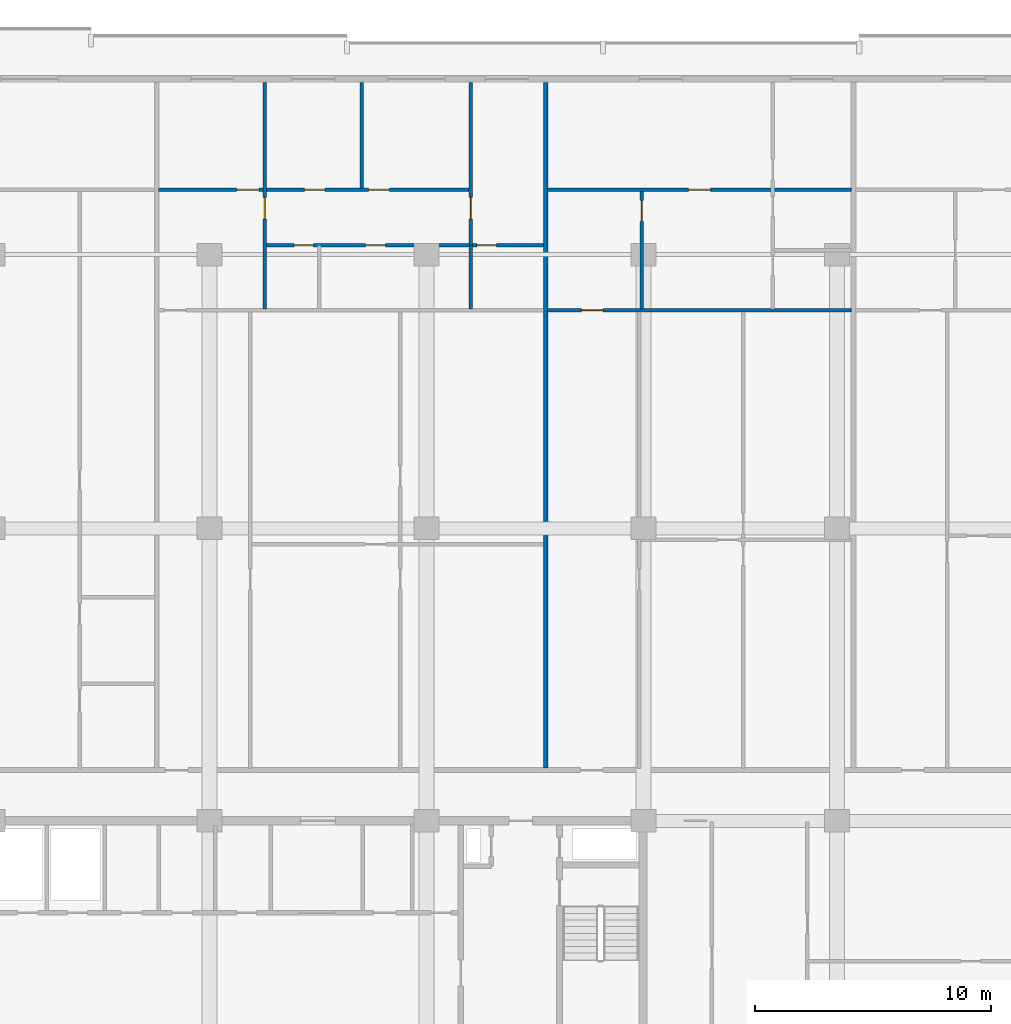
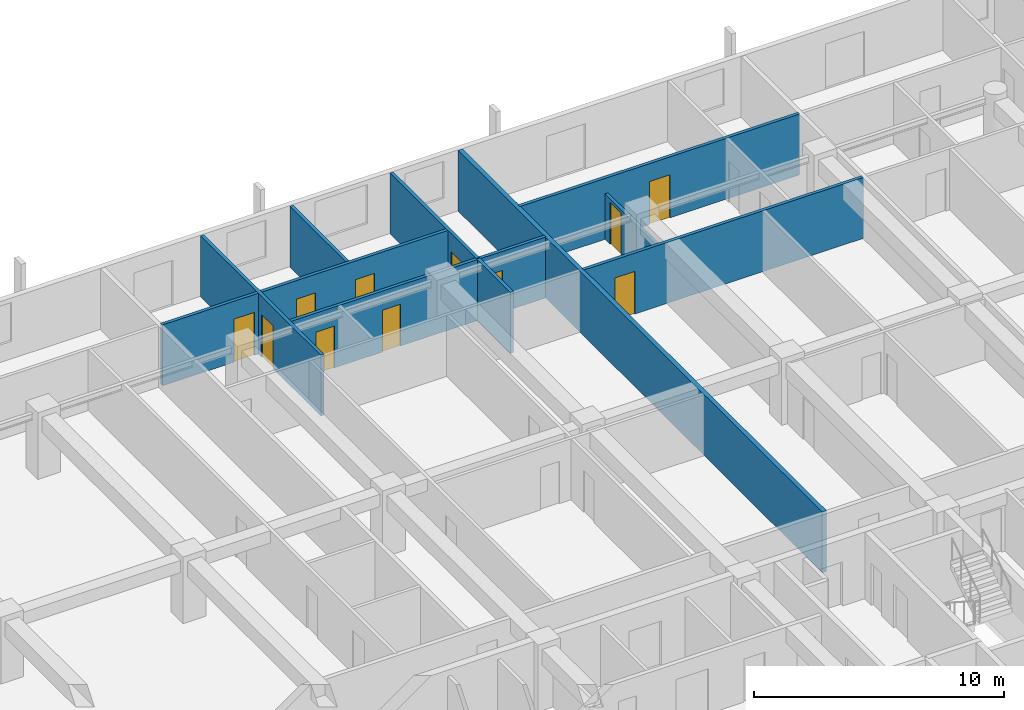
# One storey, part 15 of 23: 11 doors, 10 walls, 11 openings.
"""IFC4 building model written with IfcOpenShell, lengths in metres."""

from ifc_helpers import new_model, si_unit, direction, frame, frame_2d, origin, place, context, subcontext, project, spatial, rectangle, extrude, material, layer, layer_set, type_object, element, fill, save


model = new_model("IFC4")

# Units and contexts
model_context = context("Model", 3, precision=1e-05, world=origin(), true_north=direction((0.0, 1.0)))
body_context = subcontext(model_context, "Body", "Model", "MODEL_VIEW")
ifc_project = project(units=[si_unit("LENGTHUNIT", "METRE"), si_unit("AREAUNIT", "SQUARE_METRE"), si_unit("VOLUMEUNIT", "CUBIC_METRE"), si_unit("PLANEANGLEUNIT", "RADIAN"), si_unit("MASSUNIT", "GRAM", prefix="KILO")], contexts=[model_context])

# Site, building, storey
site_placement = place(None, origin())
site = spatial("IfcSite", under=ifc_project, at=site_placement, CompositionType="ELEMENT")
building_placement = place(site_placement, origin())
building = spatial("IfcBuilding", under=site, at=building_placement, Name="Korimba Cascade Residences", CompositionType="ELEMENT")
storey_placement = place(building_placement, frame((0.0, 0.0, 69.5)))
storey = spatial("IfcBuildingStorey", under=building, at=storey_placement, Name="L19", CompositionType="ELEMENT", Elevation=69.5)

# Walls
ifc_material_1 = material(Name="Precast concrete C40/50", Category="concrete")
ifc_layer_1 = layer(ifc_material_1, 0.199951171875)
ifc_layer_set_1 = layer_set([ifc_layer_1], Name="Precast concrete C40/50")
wall_type_1 = type_object("IfcWallType", Name="WAL-IT-200", PredefinedType="PARTITIONING", material=ifc_layer_set_1)
wall_1_placement = place(storey_placement, frame((107.94873046875, 69.429931640625, 0.0), z_axis=(0.0, 0.0, 1.0), x_axis=(0.0, 1.0, 0.0)))
element("IfcWall", 1, at=wall_1_placement, inside=storey, type_object=wall_type_1, Name="L19 Partition Wall WAL-L19-T1-DEM-3", PredefinedType="PARTITIONING", context=body_context, shape_type="SweptSolid", body=[
    extrude(rectangle(XDim=29.070068359375, YDim=0.199951171875, at=frame_2d((14.53515625, 0.0))), origin(), (0.0, 0.0, 1.0), 2.969970703125),
])
ifc_material_2 = material(Name="Insulated Acoustic Stud Partition", Category="gypsum")
ifc_layer_2 = layer(ifc_material_2, 0.14990234375)
ifc_layer_set_2 = layer_set([ifc_layer_2], Name="Insulated Acoustic Stud Partition")
wall_type_2 = type_object("IfcWallType", Name="WAL-PART-150", PredefinedType="PARTITIONING", material=ifc_layer_set_2)
wall_2_placement = place(storey_placement, frame((100.160400390625, 94.030029296875, 0.0), z_axis=(0.0, 0.0, 1.0), x_axis=(0.0, 1.0, 0.0)))
element("IfcWall", 2, at=wall_2_placement, inside=storey, type_object=wall_type_2, Name="L19 Partition Wall WAL-L19-T1-U03-VSTD", PredefinedType="PARTITIONING", context=body_context, shape_type="SweptSolid", body=[
    extrude(rectangle(XDim=4.469970703125, YDim=0.14990234375, at=frame_2d((2.23486328125, 0.0))), origin(), (0.0, 0.0, 1.0), 2.969970703125),
])

# Wall, opening, door
wall_3_placement = place(storey_placement, frame((96.041015625, 88.889892578125, 0.0), z_axis=(0.0, 0.0, 1.0), x_axis=(0.0, 1.0, 0.0)))
wall_3 = element("IfcWall", 3, at=wall_3_placement, inside=storey, type_object=wall_type_2, Name="L19 Partition Wall WAL-L19-T1-U03-V1", PredefinedType="PARTITIONING", context=body_context, shape_type="SweptSolid", body=[
    extrude(rectangle(XDim=9.610107421875, YDim=0.14990234375, at=frame_2d((4.80517578125, 0.0))), origin(), (0.0, 0.0, 1.0), 2.969970703125),
])
opening_1_placement = place(wall_3_placement, frame((3.820068359375, 0.0, 0.0)))
opening_1 = element("IfcOpeningElement", 4, at=opening_1_placement, cuts=wall_3, Name="Opening D-IN1", PredefinedType="OPENING", context=body_context, shape_type="SweptSolid", body=[
    extrude(rectangle(XDim=0.919921875, YDim=2.080078125, at=frame_2d((0.4599609375, 1.0400390625))), frame((0.0, 0.0849609375, 0.0), z_axis=(0.0, -1.0, 0.0), x_axis=(1.0, 0.0, 0.0)), (0.0, 0.0, 1.0), 0.169921875),
])
ifc_material_3 = material(Name="Acoustic Timber Living Door", Category="wood")
door_type_1 = type_object("IfcDoorType", Name="DR-INT-920", OperationType="NOTDEFINED", PredefinedType="DOOR", material=ifc_material_3)
door_1_placement = place(opening_1_placement, origin())
door_1 = element("IfcDoor", 5, at=door_1_placement, inside=storey, type_object=door_type_1, Name="L19-T1-U03 Hallway Door", OperationType="SINGLE_SWING_RIGHT", OverallHeight=2.080078125, OverallWidth=0.919921875, PredefinedType="DOOR", context=body_context, shape_type="SweptSolid", body=[
    extrude(rectangle(XDim=0.919921875, YDim=2.080078125, at=frame_2d((0.4599609375, 1.0400390625))), frame((0.0, 0.02490234375, 0.0), z_axis=(0.0, -1.0, 0.0), x_axis=(1.0, 0.0, 0.0)), (0.0, 0.0, 1.0), 0.050048828125),
])
fill(opening_1, door_1)

# Wall
wall_4_placement = place(storey_placement, frame((104.780029296875, 88.889892578125, 0.0), z_axis=(0.0, 0.0, 1.0), x_axis=(0.0, 1.0, 0.0)))
element("IfcWall", 6, at=wall_4_placement, inside=storey, type_object=wall_type_2, Name="L19 Partition Wall WAL-L19-T1-U03-VBATH", PredefinedType="PARTITIONING", context=body_context, shape_type="SweptSolid", body=[
    extrude(rectangle(XDim=2.690185546875, YDim=0.14990234375, at=frame_2d((1.34521484375, 0.0))), origin(), (0.0, 0.0, 1.0), 2.969970703125),
])

# Wall, opening, door
wall_5_placement = place(storey_placement, frame((104.780029296875, 91.6201171875, 0.0), z_axis=(0.0, 0.0, 1.0), x_axis=(0.0, 1.0, 0.0)))
wall_5 = element("IfcWall", 7, at=wall_5_placement, inside=storey, type_object=wall_type_2, Name="L19 Partition Wall WAL-L19-T1-U03-V2FULL", PredefinedType="PARTITIONING", context=body_context, shape_type="SweptSolid", body=[
    extrude(rectangle(XDim=6.8798828125, YDim=0.14990234375, at=frame_2d((3.43994140625, 0.0))), origin(), (0.0, 0.0, 1.0), 2.969970703125),
])
opening_2_placement = place(wall_5_placement, frame((1.090087890625, 0.0, 0.0)))
opening_2 = element("IfcOpeningElement", 8, at=opening_2_placement, cuts=wall_5, Name="Opening D-IN1", PredefinedType="OPENING", context=body_context, shape_type="SweptSolid", body=[
    extrude(rectangle(XDim=0.919921875, YDim=2.080078125, at=frame_2d((0.4599609375, 1.0400390625))), frame((0.0, 0.0849609375, 0.0), z_axis=(0.0, -1.0, 0.0), x_axis=(1.0, 0.0, 0.0)), (0.0, 0.0, 1.0), 0.169921875),
])
door_2_placement = place(opening_2_placement, origin())
door_2 = element("IfcDoor", 9, at=door_2_placement, inside=storey, type_object=door_type_1, Name="L19-T1-U03 Master Bedroom Door", OperationType="SINGLE_SWING_LEFT", OverallHeight=2.080078125, OverallWidth=0.919921875, PredefinedType="DOOR", context=body_context, shape_type="SweptSolid", body=[
    extrude(rectangle(XDim=0.919921875, YDim=2.080078125, at=frame_2d((0.4599609375, 1.0400390625))), frame((0.0, 0.02490234375, 0.0), z_axis=(0.0, -1.0, 0.0), x_axis=(1.0, 0.0, 0.0)), (0.0, 0.0, 1.0), 0.050048828125),
])
fill(opening_2, door_2)

# Wall, openings, doors
wall_6_placement = place(storey_placement, frame((96.080810546875, 91.60009765625, 0.0), z_axis=(0.0, 0.0, 1.0), x_axis=(1.0, 0.0, 0.0)))
wall_6 = element("IfcWall", 10, at=wall_6_placement, inside=storey, type_object=wall_type_2, Name="L19 Partition Wall WAL-L19-T1-U03-HWALL", PredefinedType="PARTITIONING", context=body_context, shape_type="SweptSolid", body=[
    extrude(rectangle(XDim=11.787841796875, YDim=0.14990234375, at=frame_2d((5.89404296875, 0.0))), origin(), (0.0, 0.0, 1.0), 2.969970703125),
])
opening_3_placement = place(wall_6_placement, frame((1.19091796875, 0.0, 0.0)))
opening_3 = element("IfcOpeningElement", 11, at=opening_3_placement, cuts=wall_6, Name="Opening D-BT1", PredefinedType="OPENING", context=body_context, shape_type="SweptSolid", body=[
    extrude(rectangle(XDim=0.840087890625, YDim=2.0400390625, at=frame_2d((0.419921875, 1.02001953125))), frame((0.0, 0.0849609375, 0.0), z_axis=(0.0, -1.0, 0.0), x_axis=(1.0, 0.0, 0.0)), (0.0, 0.0, 1.0), 0.169921875),
])
opening_4_placement = place(wall_6_placement, frame((4.24072265625, 0.0, 0.0)))
opening_4 = element("IfcOpeningElement", 12, at=opening_4_placement, cuts=wall_6, Name="Opening D-BT1", PredefinedType="OPENING", context=body_context, shape_type="SweptSolid", body=[
    extrude(rectangle(XDim=0.840087890625, YDim=2.0400390625, at=frame_2d((0.419921875, 1.02001953125))), frame((0.0, 0.0849609375, 0.0), z_axis=(0.0, -1.0, 0.0), x_axis=(1.0, 0.0, 0.0)), (0.0, 0.0, 1.0), 0.169921875),
])
opening_5_placement = place(wall_6_placement, frame((8.94921875, 0.0, 0.0)))
opening_5 = element("IfcOpeningElement", 13, at=opening_5_placement, cuts=wall_6, Name="Opening D-BT1", PredefinedType="OPENING", context=body_context, shape_type="SweptSolid", body=[
    extrude(rectangle(XDim=0.840087890625, YDim=2.0400390625, at=frame_2d((0.419921875, 1.02001953125))), frame((0.0, 0.0849609375, 0.0), z_axis=(0.0, -1.0, 0.0), x_axis=(1.0, 0.0, 0.0)), (0.0, 0.0, 1.0), 0.169921875),
])
ifc_material_4 = material(Name="Moisture-Resistant Bathroom Timber Door", Category="wood")
door_type_2 = type_object("IfcDoorType", Name="DR-INT-850", OperationType="NOTDEFINED", PredefinedType="DOOR", material=ifc_material_4)
door_3_placement = place(opening_3_placement, origin())
door_3 = element("IfcDoor", 14, at=door_3_placement, inside=storey, type_object=door_type_2, Name="L19-T1-U03 Family Bathroom Door", OperationType="SINGLE_SWING_RIGHT", OverallHeight=2.0400390625, OverallWidth=0.840087890625, PredefinedType="DOOR", context=body_context, shape_type="SweptSolid", body=[
    extrude(rectangle(XDim=0.840087890625, YDim=2.0400390625, at=frame_2d((0.419921875, 1.02001953125))), frame((0.0, 0.02490234375, 0.0), z_axis=(0.0, -1.0, 0.0), x_axis=(1.0, 0.0, 0.0)), (0.0, 0.0, 1.0), 0.050048828125),
])
fill(opening_3, door_3)
door_4_placement = place(opening_4_placement, origin())
door_4 = element("IfcDoor", 15, at=door_4_placement, inside=storey, type_object=door_type_2, Name="L19-T1-U03 Dressing Room Door", OperationType="SINGLE_SWING_LEFT", OverallHeight=2.0400390625, OverallWidth=0.840087890625, PredefinedType="DOOR", context=body_context, shape_type="SweptSolid", body=[
    extrude(rectangle(XDim=0.840087890625, YDim=2.0400390625, at=frame_2d((0.419921875, 1.02001953125))), frame((0.0, 0.02490234375, 0.0), z_axis=(0.0, -1.0, 0.0), x_axis=(1.0, 0.0, 0.0)), (0.0, 0.0, 1.0), 0.050048828125),
])
fill(opening_4, door_4)
door_5_placement = place(opening_5_placement, origin())
door_5 = element("IfcDoor", 16, at=door_5_placement, inside=storey, type_object=door_type_2, Name="L19-T1-U03 En-Suite Door", OperationType="SINGLE_SWING_RIGHT", OverallHeight=2.0400390625, OverallWidth=0.840087890625, PredefinedType="DOOR", context=body_context, shape_type="SweptSolid", body=[
    extrude(rectangle(XDim=0.840087890625, YDim=2.0400390625, at=frame_2d((0.419921875, 1.02001953125))), frame((0.0, 0.02490234375, 0.0), z_axis=(0.0, -1.0, 0.0), x_axis=(1.0, 0.0, 0.0)), (0.0, 0.0, 1.0), 0.050048828125),
])
fill(opening_5, door_5)

wall_7_placement = place(storey_placement, frame((91.541015625, 93.949951171875, 0.0), z_axis=(0.0, 0.0, 1.0), x_axis=(1.0, 0.0, 0.0)))
wall_7 = element("IfcWall", 17, at=wall_7_placement, inside=storey, type_object=wall_type_2, Name="L19 Partition Wall WAL-L19-T1-U03-HZ", PredefinedType="PARTITIONING", context=body_context, shape_type="SweptSolid", body=[
    extrude(rectangle(XDim=13.239013671875, YDim=0.14990234375, at=frame_2d((6.61962890625, 0.0))), origin(), (0.0, 0.0, 1.0), 2.969970703125),
])
opening_6_placement = place(wall_7_placement, frame((3.31005859375, 0.0, 0.0)))
opening_6 = element("IfcOpeningElement", 18, at=opening_6_placement, cuts=wall_7, Name="Opening D-IN0", PredefinedType="OPENING", context=body_context, shape_type="SweptSolid", body=[
    extrude(rectangle(XDim=0.93994140625, YDim=2.10009765625, at=frame_2d((0.469970703125, 1.050048828125))), frame((0.0, 0.0849609375, 0.0), z_axis=(0.0, -1.0, 0.0), x_axis=(1.0, 0.0, 0.0)), (0.0, 0.0, 1.0), 0.169921875),
])
opening_7_placement = place(wall_7_placement, frame((6.1796875, 0.0, 0.0)))
opening_7 = element("IfcOpeningElement", 19, at=opening_7_placement, cuts=wall_7, Name="Opening D-IN2", PredefinedType="OPENING", context=body_context, shape_type="SweptSolid", body=[
    extrude(rectangle(XDim=0.8798828125, YDim=2.06005859375, at=frame_2d((0.43994140625, 1.030029296875))), frame((0.0, 0.0849609375, 0.0), z_axis=(0.0, -1.0, 0.0), x_axis=(1.0, 0.0, 0.0)), (0.0, 0.0, 1.0), 0.169921875),
])
opening_8_placement = place(wall_7_placement, frame((8.905517578125, 0.0, 0.0)))
opening_8 = element("IfcOpeningElement", 20, at=opening_8_placement, cuts=wall_7, Name="Opening D-IN2", PredefinedType="OPENING", context=body_context, shape_type="SweptSolid", body=[
    extrude(rectangle(XDim=0.8798828125, YDim=2.06005859375, at=frame_2d((0.43994140625, 1.030029296875))), frame((0.0, 0.0849609375, 0.0), z_axis=(0.0, -1.0, 0.0), x_axis=(1.0, 0.0, 0.0)), (0.0, 0.0, 1.0), 0.169921875),
])
ifc_material_5 = material(Name="Acoustic Timber Bedroom Door", Category="wood")
door_type_3 = type_object("IfcDoorType", Name="DR-INT-880", OperationType="NOTDEFINED", PredefinedType="DOOR", material=ifc_material_5)
door_6_placement = place(opening_7_placement, origin())
door_6 = element("IfcDoor", 21, at=door_6_placement, inside=storey, type_object=door_type_3, Name="L19-T1-U03 Bedroom 2 Door", OperationType="SINGLE_SWING_LEFT", OverallHeight=2.06005859375, OverallWidth=0.8798828125, PredefinedType="DOOR", context=body_context, shape_type="SweptSolid", body=[
    extrude(rectangle(XDim=0.8798828125, YDim=2.06005859375, at=frame_2d((0.43994140625, 1.030029296875))), frame((0.0, 0.02490234375, 0.0), z_axis=(0.0, -1.0, 0.0), x_axis=(1.0, 0.0, 0.0)), (0.0, 0.0, 1.0), 0.050048828125),
])
fill(opening_7, door_6)
door_7_placement = place(opening_8_placement, origin())
door_7 = element("IfcDoor", 22, at=door_7_placement, inside=storey, type_object=door_type_3, Name="L19-T1-U03 Study Door", OperationType="SINGLE_SWING_RIGHT", OverallHeight=2.06005859375, OverallWidth=0.8798828125, PredefinedType="DOOR", context=body_context, shape_type="SweptSolid", body=[
    extrude(rectangle(XDim=0.8798828125, YDim=2.06005859375, at=frame_2d((0.43994140625, 1.030029296875))), frame((0.0, 0.02490234375, 0.0), z_axis=(0.0, -1.0, 0.0), x_axis=(1.0, 0.0, 0.0)), (0.0, 0.0, 1.0), 0.050048828125),
])
fill(opening_8, door_7)
ifc_material_6 = material(Name="Acoustic Timber Living Archway Door", Category="wood")
door_type_4 = type_object("IfcDoorType", Name="DR-INT-950", OperationType="NOTDEFINED", PredefinedType="DOOR", material=ifc_material_6)
door_8_placement = place(opening_6_placement, origin())
door_8 = element("IfcDoor", 23, at=door_8_placement, inside=storey, type_object=door_type_4, Name="L19-T1-U03 Living Room Door", OperationType="SINGLE_SWING_RIGHT", OverallHeight=2.10009765625, OverallWidth=0.93994140625, PredefinedType="DOOR", context=body_context, shape_type="SweptSolid", body=[
    extrude(rectangle(XDim=0.93994140625, YDim=2.10009765625, at=frame_2d((0.469970703125, 1.050048828125))), frame((0.0, 0.02490234375, 0.0), z_axis=(0.0, -1.0, 0.0), x_axis=(1.0, 0.0, 0.0)), (0.0, 0.0, 1.0), 0.050048828125),
])
fill(opening_6, door_8)

# Wall, opening, door
wall_8_placement = place(storey_placement, frame((112.018798828125, 88.889892578125, 0.0), z_axis=(0.0, 0.0, 1.0), x_axis=(0.0, 1.0, 0.0)))
wall_8 = element("IfcWall", 24, at=wall_8_placement, inside=storey, type_object=wall_type_2, Name="L19 Partition Wall WAL-L19-T1-U04-VDIN", PredefinedType="PARTITIONING", context=body_context, shape_type="SweptSolid", body=[
    extrude(rectangle(XDim=5.0, YDim=0.14990234375, at=frame_2d((2.5, 0.0))), origin(), (0.0, 0.0, 1.0), 2.219970703125),
])
opening_9_placement = place(wall_8_placement, frame((3.719970703125, 0.0, 0.0)))
opening_9 = element("IfcOpeningElement", 25, at=opening_9_placement, cuts=wall_8, Name="Opening D-IN2", PredefinedType="OPENING", context=body_context, shape_type="SweptSolid", body=[
    extrude(rectangle(XDim=0.8798828125, YDim=2.06005859375, at=frame_2d((0.43994140625, 1.030029296875))), frame((0.0, 0.0849609375, 0.0), z_axis=(0.0, -1.0, 0.0), x_axis=(1.0, 0.0, 0.0)), (0.0, 0.0, 1.0), 0.169921875),
])
door_9_placement = place(opening_9_placement, origin())
door_9 = element("IfcDoor", 26, at=door_9_placement, inside=storey, type_object=door_type_3, Name="L19-T1-U04 Dining Room Door", OperationType="SINGLE_SWING_LEFT", OverallHeight=2.06005859375, OverallWidth=0.8798828125, PredefinedType="DOOR", context=body_context, shape_type="SweptSolid", body=[
    extrude(rectangle(XDim=0.8798828125, YDim=2.06005859375, at=frame_2d((0.43994140625, 1.030029296875))), frame((0.0, 0.02490234375, 0.0), z_axis=(0.0, -1.0, 0.0), x_axis=(1.0, 0.0, 0.0)), (0.0, 0.0, 1.0), 0.050048828125),
])
fill(opening_9, door_9)

wall_9_placement = place(storey_placement, frame((108.02880859375, 88.85009765625, 0.0), z_axis=(0.0, 0.0, 1.0), x_axis=(1.0, 0.0, 0.0)))
wall_9 = element("IfcWall", 27, at=wall_9_placement, inside=storey, type_object=wall_type_2, Name="L19 Partition Wall WAL-L19-T1-U04-MW", PredefinedType="PARTITIONING", context=body_context, shape_type="SweptSolid", body=[
    extrude(rectangle(XDim=12.888671875, YDim=0.14990234375, at=frame_2d((6.4443359375, 0.0))), origin(), (0.0, 0.0, 1.0), 2.969970703125),
])
opening_10_placement = place(wall_9_placement, frame((1.435546875, 0.0, 0.0)))
opening_10 = element("IfcOpeningElement", 28, at=opening_10_placement, cuts=wall_9, Name="Opening D-IN1", PredefinedType="OPENING", context=body_context, shape_type="SweptSolid", body=[
    extrude(rectangle(XDim=0.919921875, YDim=2.080078125, at=frame_2d((0.4599609375, 1.0400390625))), frame((0.0, 0.0849609375, 0.0), z_axis=(0.0, -1.0, 0.0), x_axis=(1.0, 0.0, 0.0)), (0.0, 0.0, 1.0), 0.169921875),
])
door_10_placement = place(opening_10_placement, origin())
door_10 = element("IfcDoor", 29, at=door_10_placement, inside=storey, type_object=door_type_1, Name="L19-T1-U04 Kitchen Archway Door", OperationType="SINGLE_SWING_LEFT", OverallHeight=2.080078125, OverallWidth=0.919921875, PredefinedType="DOOR", context=body_context, shape_type="SweptSolid", body=[
    extrude(rectangle(XDim=0.919921875, YDim=2.080078125, at=frame_2d((0.4599609375, 1.0400390625))), frame((0.0, 0.02490234375, 0.0), z_axis=(0.0, -1.0, 0.0), x_axis=(1.0, 0.0, 0.0)), (0.0, 0.0, 1.0), 0.050048828125),
])
fill(opening_10, door_10)

wall_10_placement = place(storey_placement, frame((108.02880859375, 93.949951171875, 0.0), z_axis=(0.0, 0.0, 1.0), x_axis=(1.0, 0.0, 0.0)))
wall_10 = element("IfcWall", 30, at=wall_10_placement, inside=storey, type_object=wall_type_2, Name="L19 Partition Wall WAL-L19-T1-U04-HZ", PredefinedType="PARTITIONING", context=body_context, shape_type="SweptSolid", body=[
    extrude(rectangle(XDim=12.888671875, YDim=0.14990234375, at=frame_2d((6.4443359375, 0.0))), origin(), (0.0, 0.0, 1.0), 2.969970703125),
])
opening_11_placement = place(wall_10_placement, frame((5.974365234375, 0.0, 0.0)))
opening_11 = element("IfcOpeningElement", 31, at=opening_11_placement, cuts=wall_10, Name="Opening D-IN0", PredefinedType="OPENING", context=body_context, shape_type="SweptSolid", body=[
    extrude(rectangle(XDim=0.93994140625, YDim=2.10009765625, at=frame_2d((0.469970703125, 1.050048828125))), frame((0.0, 0.0849609375, 0.0), z_axis=(0.0, -1.0, 0.0), x_axis=(1.0, 0.0, 0.0)), (0.0, 0.0, 1.0), 0.169921875),
])
door_11_placement = place(opening_11_placement, origin())
door_11 = element("IfcDoor", 32, at=door_11_placement, inside=storey, type_object=door_type_4, Name="L19-T1-U04 Living Archway Door", OperationType="SINGLE_SWING_RIGHT", OverallHeight=2.10009765625, OverallWidth=0.93994140625, PredefinedType="DOOR", context=body_context, shape_type="SweptSolid", body=[
    extrude(rectangle(XDim=0.93994140625, YDim=2.10009765625, at=frame_2d((0.469970703125, 1.050048828125))), frame((0.0, 0.02490234375, 0.0), z_axis=(0.0, -1.0, 0.0), x_axis=(1.0, 0.0, 0.0)), (0.0, 0.0, 1.0), 0.050048828125),
])
fill(opening_11, door_11)

save(model, "model.ifc")
